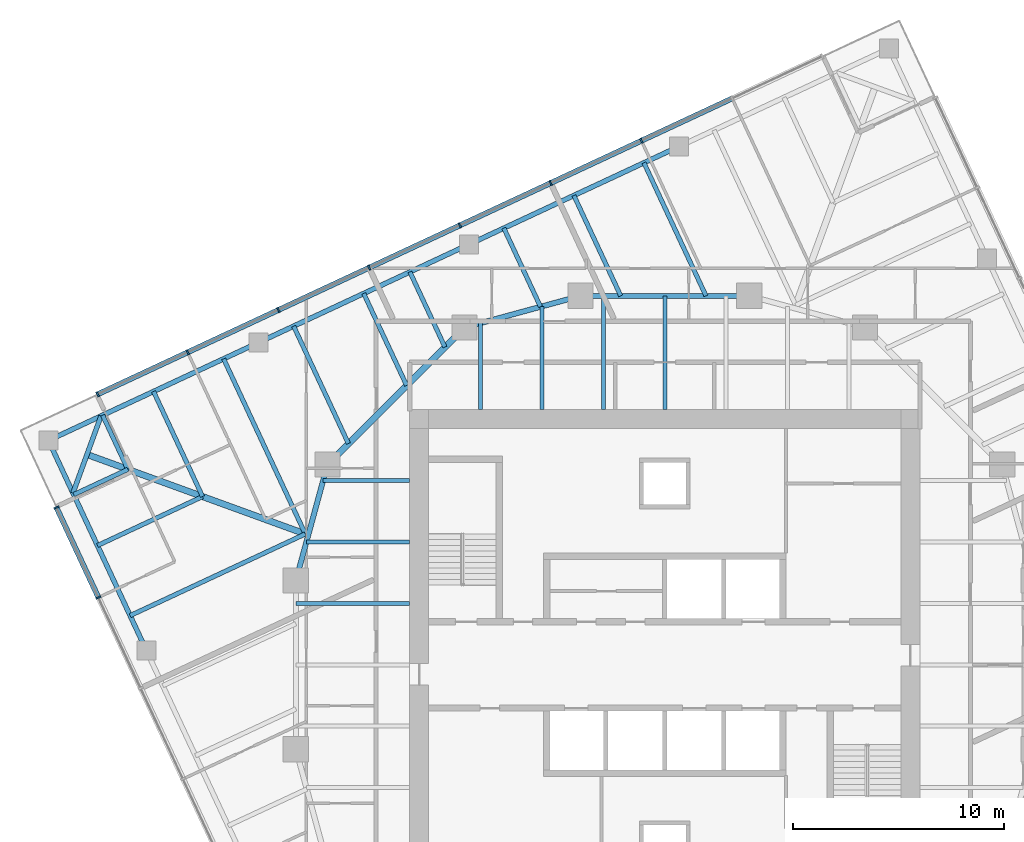
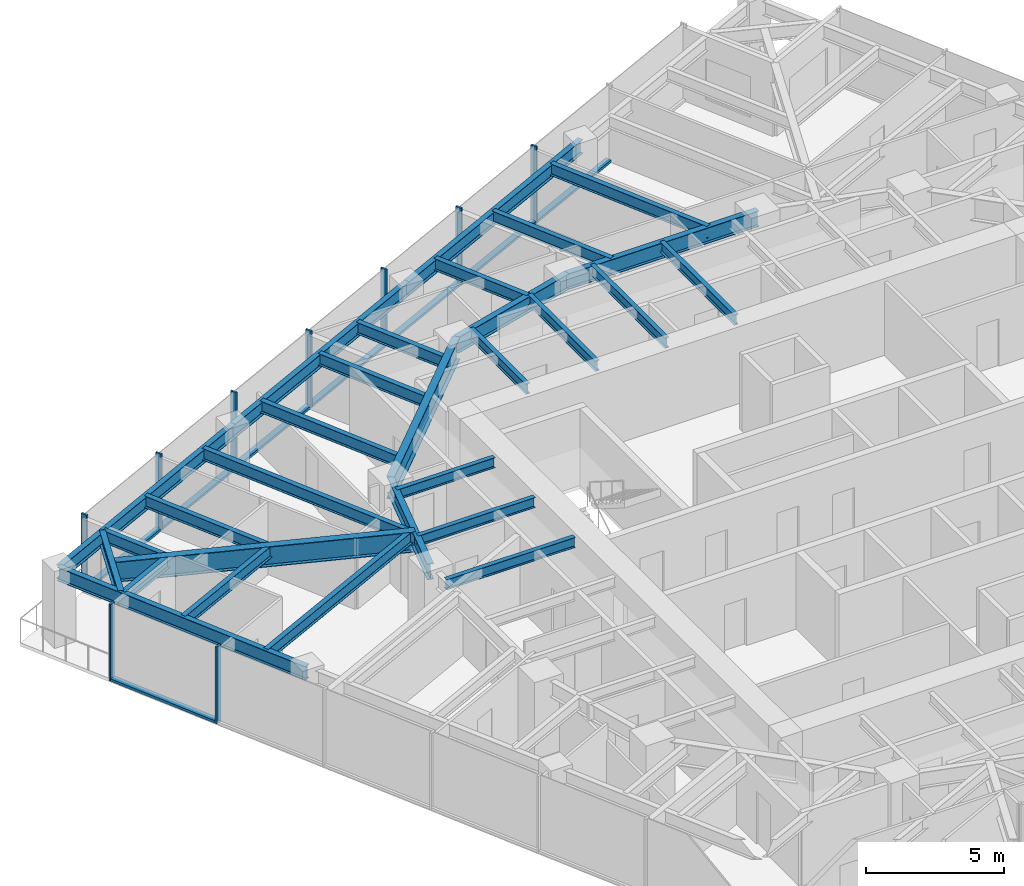
# One storey, part 4 of 13: 29 beams, 17 members, 2 elements without a shape of their own.
"""IFC4 building model written with IfcOpenShell, lengths in metres."""

from ifc_helpers import new_model, si_unit, direction, frame, origin, origin_2d, place, context, subcontext, project, spatial, rectangle, i_section, extrude, material, material_profile, profile_set, type_object, element, aggregate, save


model = new_model("IFC4")

# Units and contexts
model_context = context("Model", 3, precision=1e-05, world=origin(), true_north=direction((0.0, 1.0)))
body_context = subcontext(model_context, "Body", "Model", "MODEL_VIEW")
ifc_project = project(units=[si_unit("LENGTHUNIT", "METRE"), si_unit("AREAUNIT", "SQUARE_METRE"), si_unit("VOLUMEUNIT", "CUBIC_METRE"), si_unit("PLANEANGLEUNIT", "RADIAN"), si_unit("MASSUNIT", "GRAM", prefix="KILO")], contexts=[model_context])

# Site, building, storey
site_placement = place(None, origin())
site = spatial("IfcSite", under=ifc_project, at=site_placement, CompositionType="ELEMENT")
building_placement = place(site_placement, origin())
building = spatial("IfcBuilding", under=site, at=building_placement, Name="Torsade Residences", CompositionType="ELEMENT")
storey_placement = place(building_placement, frame((0.0, 0.0, 182.800048828125)))
storey = spatial("IfcBuildingStorey", under=building, at=storey_placement, Name="L50", CompositionType="ELEMENT", Elevation=182.800048828125)

# Beams
ifc_material_1 = material(Name="Steel grade 300", Category="steel")
ifc_material_profile_1 = material_profile(ifc_material_1, i_section(OverallWidth=0.300048828125, OverallDepth=0.89990234375, WebThickness=0.011962890625, FlangeThickness=0.02490234375, at=origin_2d()), Name="900WB175")
ifc_profile_set_1 = profile_set([ifc_material_profile_1], Name="Steel grade 300")
beam_type_1 = type_object("IfcBeamType", Name="CORNER GIRDER 900WB175", PredefinedType="BEAM", material=ifc_profile_set_1)
beam_1_placement = place(storey_placement, frame((12.5908203125, 39.97607421875, 2.800048828125), z_axis=(0.93969447651, -0.342015044723, 0.0), x_axis=(0.342015044723, 0.93969447651, 0.0)))
element("IfcBeam", 1, at=beam_1_placement, inside=storey, type_object=beam_type_1, Name="Corner girder 13 L51", PredefinedType="BEAM", context=body_context, shape_type="SweptSolid", body=[
    extrude(i_section(OverallWidth=0.300048828125, OverallDepth=0.89990234375, WebThickness=0.011962890625, FlangeThickness=0.02490234375, at=origin_2d()), origin(), (0.0, 0.0, 1.0), 11.170654296875),
])
ifc_material_2 = material(Name="Steel grade 300", Category="steel")
ifc_material_profile_2 = material_profile(ifc_material_2, i_section(OverallWidth=0.22802734375, OverallDepth=0.60205078125, WebThickness=0.010498046875, FlangeThickness=0.014892578125, FilletRadius=0.013916015625, at=origin_2d()), Name="610UB101")
ifc_profile_set_2 = profile_set([ifc_material_profile_2], Name="Steel grade 300")
beam_type_2 = type_object("IfcBeamType", Name="CORNER TRIMMER 610UB101", PredefinedType="BEAM", material=ifc_profile_set_2)
beam_2_placement = place(storey_placement, frame((11.92578125, 38.14892578125, 2.948974609375), z_axis=(0.342005152204, 0.939698076972, 0.0), x_axis=(-0.939698076972, 0.342005152204, 0.0)))
element("IfcBeam", 2, at=beam_2_placement, inside=storey, type_object=beam_type_2, Name="Corner trimmer 13 L51", PredefinedType="BEAM", context=body_context, shape_type="SweptSolid", body=[
    extrude(i_section(OverallWidth=0.22802734375, OverallDepth=0.60205078125, WebThickness=0.010498046875, FlangeThickness=0.014892578125, FilletRadius=0.013916015625, at=origin_2d()), origin(), (0.0, 0.0, 1.0), 3.88916015625),
])
ifc_material_3 = material(Name="Steel grade 300", Category="steel")
ifc_material_profile_3 = material_profile(ifc_material_3, i_section(OverallWidth=0.22900390625, OverallDepth=0.612060546875, WebThickness=0.011962890625, FlangeThickness=0.01953125, FilletRadius=0.013916015625, at=origin_2d()), Name="610UB125")
ifc_profile_set_3 = profile_set([ifc_material_profile_3], Name="Steel grade 300")
beam_type_3 = type_object("IfcBeamType", Name="EDGE BEAM 610UB125", PredefinedType="SPANDREL", material=ifc_profile_set_3)
beam_3_placement = place(storey_placement, frame((40.671875, 54.587646484375, 2.94384765625), z_axis=(-0.906305009094, -0.422624219007, 0.0), x_axis=(0.422624219007, -0.906305009094, 0.0)))
element("IfcBeam", 3, at=beam_3_placement, inside=storey, type_object=beam_type_3, Name="Edge beam 10 L51", PredefinedType="SPANDREL", context=body_context, shape_type="SweptSolid", body=[
    extrude(i_section(OverallWidth=0.22900390625, OverallDepth=0.612060546875, WebThickness=0.011962890625, FlangeThickness=0.01953125, FilletRadius=0.013916015625, at=origin_2d()), origin(), (0.0, 0.0, 1.0), 11.000244140625),
])
for number, where, z_axis, x_axis, name in (
    (4, (30.702392578125, 49.938720703125, 2.94384765625), (-0.906313510001, -0.422605988587, 0.0), (0.422605988587, -0.906313510001, 0.0), "Edge beam 11 L51"),
    (5, (20.73291015625, 45.2900390625, 2.94384765625), (-0.90630104482, -0.422632720171, 0.0), (0.422632720171, -0.90630104482, 0.0), "Edge beam 12 L51"),
):
    element("IfcBeam", number, at=place(storey_placement, frame(where, z_axis=z_axis, x_axis=x_axis)), inside=storey, type_object=beam_type_3, Name=name, PredefinedType="SPANDREL", context=body_context, shape_type="SweptSolid", body=[
        extrude(i_section(OverallWidth=0.22900390625, OverallDepth=0.612060546875, WebThickness=0.011962890625, FlangeThickness=0.01953125, FilletRadius=0.013916015625, at=origin_2d()), origin(), (0.0, 0.0, 1.0), 11.0),
    ])
beam_4_placement = place(storey_placement, frame((10.763671875, 40.64111328125, 2.94384765625), z_axis=(0.422614489543, -0.906309546032, 0.0), x_axis=(0.906309546032, 0.422614489543, 0.0)))
element("IfcBeam", 6, at=beam_4_placement, inside=storey, type_object=beam_type_3, Name="Edge beam 13 L51", PredefinedType="SPANDREL", context=body_context, shape_type="SweptSolid", body=[
    extrude(i_section(OverallWidth=0.22900390625, OverallDepth=0.612060546875, WebThickness=0.011962890625, FlangeThickness=0.01953125, FilletRadius=0.013916015625, at=origin_2d()), origin(), (0.0, 0.0, 1.0), 10.999755859375),
])
ifc_material_4 = material(Name="Steel grade 300", Category="steel")
ifc_material_profile_4 = material_profile(ifc_material_4, i_section(OverallWidth=0.18994140625, OverallDepth=0.4541015625, WebThickness=0.008544921875, FlangeThickness=0.0126953125, FilletRadius=0.011474609375, at=origin_2d()), Name="460UB67.1")
ifc_profile_set_4 = profile_set([ifc_material_profile_4], Name="Steel grade 300")
beam_type_4 = type_object("IfcBeamType", Name="INNER FLOOR BEAM 460UB67.1", PredefinedType="JOIST", material=ifc_profile_set_4)
beam_5_placement = place(storey_placement, frame((31.262451171875, 42.10009765625, 3.02294921875), z_axis=(0.0, 1.0, 0.0), x_axis=(-1.0, 0.0, 0.0)))
element("IfcBeam", 7, at=beam_5_placement, inside=storey, type_object=beam_type_4, Name="Inner floor beam IN01 L51", PredefinedType="JOIST", context=body_context, shape_type="SweptSolid", body=[
    extrude(i_section(OverallWidth=0.18994140625, OverallDepth=0.4541015625, WebThickness=0.008544921875, FlangeThickness=0.0126953125, FilletRadius=0.011474609375, at=origin_2d()), origin(), (0.0, 0.0, 1.0), 4.10791015625),
])
beam_6_placement = place(storey_placement, frame((34.175048828125, 42.10009765625, 3.02294921875), z_axis=(0.0, 1.0, 0.0), x_axis=(-1.0, 0.0, 0.0)))
element("IfcBeam", 8, at=beam_6_placement, inside=storey, type_object=beam_type_4, Name="Inner floor beam IN02 L51", PredefinedType="JOIST", context=body_context, shape_type="SweptSolid", body=[
    extrude(i_section(OverallWidth=0.18994140625, OverallDepth=0.4541015625, WebThickness=0.008544921875, FlangeThickness=0.0126953125, FilletRadius=0.011474609375, at=origin_2d()), origin(), (0.0, 0.0, 1.0), 4.902099609375),
])
for number, where, z_axis, x_axis, name in (
    (9, (37.08740234375, 42.10009765625, 3.02294921875), (0.0, 1.0, 0.0), (-1.0, 0.0, 0.0), "Inner floor beam IN03 L51"),
    (10, (40.0, 42.10009765625, 3.02294921875), (0.0, 1.0, 0.0), (-1.0, 0.0, 0.0), "Inner floor beam IN04 L51"),
):
    element("IfcBeam", number, at=place(storey_placement, frame(where, z_axis=z_axis, x_axis=x_axis)), inside=storey, type_object=beam_type_4, Name=name, PredefinedType="JOIST", context=body_context, shape_type="SweptSolid", body=[
        extrude(i_section(OverallWidth=0.18994140625, OverallDepth=0.4541015625, WebThickness=0.008544921875, FlangeThickness=0.0126953125, FilletRadius=0.011474609375, at=origin_2d()), origin(), (0.0, 0.0, 1.0), 5.39990234375),
    ])
beam_7_placement = place(storey_placement, frame((27.89990234375, 38.737548828125, 3.02294921875), z_axis=(-1.0, 0.0, 0.0), x_axis=(0.0, -1.0, 0.0)))
element("IfcBeam", 11, at=beam_7_placement, inside=storey, type_object=beam_type_4, Name="Inner floor beam IW01 L51", PredefinedType="JOIST", context=body_context, shape_type="SweptSolid", body=[
    extrude(i_section(OverallWidth=0.18994140625, OverallDepth=0.4541015625, WebThickness=0.008544921875, FlangeThickness=0.0126953125, FilletRadius=0.011474609375, at=origin_2d()), origin(), (0.0, 0.0, 1.0), 4.10791015625),
])
beam_8_placement = place(storey_placement, frame((27.89990234375, 35.824951171875, 3.02294921875), z_axis=(-1.0, 0.0, 0.0), x_axis=(0.0, -1.0, 0.0)))
element("IfcBeam", 12, at=beam_8_placement, inside=storey, type_object=beam_type_4, Name="Inner floor beam IW02 L51", PredefinedType="JOIST", context=body_context, shape_type="SweptSolid", body=[
    extrude(i_section(OverallWidth=0.18994140625, OverallDepth=0.4541015625, WebThickness=0.008544921875, FlangeThickness=0.0126953125, FilletRadius=0.011474609375, at=origin_2d()), origin(), (0.0, 0.0, 1.0), 4.902099609375),
])
beam_9_placement = place(storey_placement, frame((27.89990234375, 32.91259765625, 3.02294921875), z_axis=(-1.0, 0.0, 0.0), x_axis=(0.0, -1.0, 0.0)))
element("IfcBeam", 13, at=beam_9_placement, inside=storey, type_object=beam_type_4, Name="Inner floor beam IW03 L51", PredefinedType="JOIST", context=body_context, shape_type="SweptSolid", body=[
    extrude(i_section(OverallWidth=0.18994140625, OverallDepth=0.4541015625, WebThickness=0.008544921875, FlangeThickness=0.0126953125, FilletRadius=0.011474609375, at=origin_2d()), origin(), (0.0, 0.0, 1.0), 5.39990234375),
])

# Curtain wall, members
ifc_material_5 = material(Name="Aluminium and glass", Category="aluminium")
curtain_wall_type = type_object("IfcCurtainWallType", Name="FRITTED GLASS CURTAIN WALL MID ZONE", PredefinedType="NOTDEFINED", material=ifc_material_5)
curtain_wall_1_placement = place(storey_placement, origin())
curtain_wall_1 = element("IfcCurtainWall", 14, at=curtain_wall_1_placement, inside=storey, type_object=curtain_wall_type, Name="Curtain wall L50 face 7", PredefinedType="NOTDEFINED")
ifc_material_6 = material(Name="Aluminium mullion", Category="aluminium")
ifc_material_profile_5 = material_profile(ifc_material_6, rectangle(XDim=0.25, YDim=0.080078125, at=origin_2d()), Name="MID ZONE CURTAIN WALL MULLION 250x80")
ifc_profile_set_5 = profile_set([ifc_material_profile_5], Name="Aluminium mullion")
member_type_1 = type_object("IfcMemberType", Name="MID ZONE CURTAIN WALL MULLION 250x80", PredefinedType="MULLION", material=ifc_profile_set_5)
member_1_placement = place(storey_placement, frame((38.8896484375, 54.85986328125, 0.0), z_axis=(0.0, 0.0, 1.0), x_axis=(0.422618261978, -0.906307786926, 0.0)))
member_1 = element("IfcMember", 15, at=member_1_placement, type_object=member_type_1, Name="Mullion 3", PredefinedType="MULLION", context=body_context, shape_type="SweptSolid", body=[
    extrude(rectangle(XDim=0.25, YDim=0.080078125, at=origin_2d()), origin(), (0.0, 0.0, 1.0), 3.39990234375),
])
member_2_placement = place(storey_placement, frame((34.584716796875, 52.8525390625, 0.0), z_axis=(0.0, 0.0, 1.0), x_axis=(0.422618261978, -0.906307786926, 0.0)))
member_2 = element("IfcMember", 16, at=member_2_placement, type_object=member_type_1, Name="Mullion 4", PredefinedType="MULLION", context=body_context, shape_type="SweptSolid", body=[
    extrude(rectangle(XDim=0.25, YDim=0.080078125, at=origin_2d()), origin(), (0.0, 0.0, 1.0), 3.39990234375),
])
member_3_placement = place(storey_placement, frame((30.27978515625, 50.844970703125, 0.0), z_axis=(0.0, 0.0, 1.0), x_axis=(0.422618261978, -0.906307786926, 0.0)))
member_3 = element("IfcMember", 17, at=member_3_placement, type_object=member_type_1, Name="Mullion 5", PredefinedType="MULLION", context=body_context, shape_type="SweptSolid", body=[
    extrude(rectangle(XDim=0.25, YDim=0.080078125, at=origin_2d()), origin(), (0.0, 0.0, 1.0), 3.39990234375),
])
member_4_placement = place(storey_placement, frame((25.974853515625, 48.837646484375, 0.0), z_axis=(0.0, 0.0, 1.0), x_axis=(0.422618261978, -0.906307786926, 0.0)))
member_4 = element("IfcMember", 18, at=member_4_placement, type_object=member_type_1, Name="Mullion 6", PredefinedType="MULLION", context=body_context, shape_type="SweptSolid", body=[
    extrude(rectangle(XDim=0.25, YDim=0.080078125, at=origin_2d()), origin(), (0.0, 0.0, 1.0), 3.39990234375),
])
member_5_placement = place(storey_placement, frame((21.669921875, 46.830322265625, 0.0), z_axis=(0.0, 0.0, 1.0), x_axis=(0.422618261978, -0.906307786926, 0.0)))
member_5 = element("IfcMember", 19, at=member_5_placement, type_object=member_type_1, Name="Mullion 7", PredefinedType="MULLION", context=body_context, shape_type="SweptSolid", body=[
    extrude(rectangle(XDim=0.25, YDim=0.080078125, at=origin_2d()), origin(), (0.0, 0.0, 1.0), 3.39990234375),
])
member_6_placement = place(storey_placement, frame((17.364990234375, 44.82275390625, 0.0), z_axis=(0.0, 0.0, 1.0), x_axis=(0.422618261978, -0.906307786926, 0.0)))
member_6 = element("IfcMember", 20, at=member_6_placement, type_object=member_type_1, Name="Mullion 8", PredefinedType="MULLION", context=body_context, shape_type="SweptSolid", body=[
    extrude(rectangle(XDim=0.25, YDim=0.080078125, at=origin_2d()), origin(), (0.0, 0.0, 1.0), 3.39990234375),
])
member_7_placement = place(storey_placement, frame((13.09619140625, 42.832275390625, 0.0), z_axis=(0.0, 0.0, 1.0), x_axis=(0.422618261978, -0.906307786926, 0.0)))
member_7 = element("IfcMember", 21, at=member_7_placement, type_object=member_type_1, Name="Mullion 9", PredefinedType="MULLION", context=body_context, shape_type="SweptSolid", body=[
    extrude(rectangle(XDim=0.25, YDim=0.080078125, at=origin_2d()), origin(), (0.0, 0.0, 1.0), 3.39990234375),
])

curtain_wall_2_placement = place(storey_placement, origin())
curtain_wall_2 = element("IfcCurtainWall", 22, at=curtain_wall_2_placement, inside=storey, type_object=curtain_wall_type, Name="Curtain wall L50 face 10", PredefinedType="NOTDEFINED")
member_8_placement = place(storey_placement, frame((11.14208984375, 37.46337890625, 0.0), z_axis=(0.0, 0.0, 1.0), x_axis=(0.906307786926, 0.422618261978, 0.0)))
member_8 = element("IfcMember", 23, at=member_8_placement, type_object=member_type_1, Name="Mullion 1", PredefinedType="MULLION", context=body_context, shape_type="SweptSolid", body=[
    extrude(rectangle(XDim=0.25, YDim=0.080078125, at=origin_2d()), origin(), (0.0, 0.0, 1.0), 3.39990234375),
])
member_9_placement = place(storey_placement, frame((13.132568359375, 33.194580078125, 0.0), z_axis=(0.0, 0.0, 1.0), x_axis=(0.906307786926, 0.422618261978, 0.0)))
member_9 = element("IfcMember", 24, at=member_9_placement, type_object=member_type_1, Name="Mullion 2", PredefinedType="MULLION", context=body_context, shape_type="SweptSolid", body=[
    extrude(rectangle(XDim=0.25, YDim=0.080078125, at=origin_2d()), origin(), (0.0, 0.0, 1.0), 3.39990234375),
])

# Member
ifc_material_7 = material(Name="Aluminium transom", Category="aluminium")
ifc_material_profile_6 = material_profile(ifc_material_7, rectangle(XDim=0.25, YDim=0.110107421875, at=origin_2d()), Name="MID ZONE CURTAIN WALL TRANSOM 250x110")
ifc_profile_set_6 = profile_set([ifc_material_profile_6], Name="Aluminium transom")
member_type_2 = type_object("IfcMemberType", Name="MID ZONE CURTAIN WALL TRANSOM 250x110", PredefinedType="USERDEFINED", material=ifc_profile_set_6)
member_10_placement = place(storey_placement, frame((43.158447265625, 56.8505859375, 0.054931640625), z_axis=(-0.906305976097, -0.422622145291, 0.0), x_axis=(0.422622145291, -0.906305976097, 0.0)))
member_10 = element("IfcMember", 25, at=member_10_placement, type_object=member_type_2, Name="Transom 2.1", ObjectType="TRANSOM", PredefinedType="USERDEFINED", context=body_context, shape_type="SweptSolid", body=[
    extrude(rectangle(XDim=0.25, YDim=0.110107421875, at=origin_2d()), origin(), (0.0, 0.0, 1.0), 4.669921875),
])

member_11_placement = place(storey_placement, frame((38.853515625, 54.843017578125, 0.054931640625), z_axis=(-0.906305976097, -0.422622145291, 0.0), x_axis=(0.422622145291, -0.906305976097, 0.0)))
member_11 = element("IfcMember", 26, at=member_11_placement, type_object=member_type_2, Name="Transom 3.1", ObjectType="TRANSOM", PredefinedType="USERDEFINED", context=body_context, shape_type="SweptSolid", body=[
    extrude(rectangle(XDim=0.25, YDim=0.110107421875, at=origin_2d()), origin(), (0.0, 0.0, 1.0), 4.669921875),
])

member_12_placement = place(storey_placement, frame((34.548583984375, 52.835693359375, 0.054931640625), z_axis=(-0.90631531293, -0.422602122035, 0.0), x_axis=(0.422602122035, -0.90631531293, 0.0)))
member_12 = element("IfcMember", 27, at=member_12_placement, type_object=member_type_2, Name="Transom 4.1", ObjectType="TRANSOM", PredefinedType="USERDEFINED", context=body_context, shape_type="SweptSolid", body=[
    extrude(rectangle(XDim=0.25, YDim=0.110107421875, at=origin_2d()), origin(), (0.0, 0.0, 1.0), 4.670166015625),
])

member_13_placement = place(storey_placement, frame((30.243408203125, 50.828125, 0.054931640625), z_axis=(-0.906305976097, -0.422622145291, 0.0), x_axis=(0.422622145291, -0.906305976097, 0.0)))
member_13 = element("IfcMember", 28, at=member_13_placement, type_object=member_type_2, Name="Transom 5.1", ObjectType="TRANSOM", PredefinedType="USERDEFINED", context=body_context, shape_type="SweptSolid", body=[
    extrude(rectangle(XDim=0.25, YDim=0.110107421875, at=origin_2d()), origin(), (0.0, 0.0, 1.0), 4.669921875),
])

member_14_placement = place(storey_placement, frame((25.9384765625, 48.82080078125, 0.054931640625), z_axis=(-0.906305976097, -0.422622145291, 0.0), x_axis=(0.422622145291, -0.906305976097, 0.0)))
member_14 = element("IfcMember", 29, at=member_14_placement, type_object=member_type_2, Name="Transom 6.1", ObjectType="TRANSOM", PredefinedType="USERDEFINED", context=body_context, shape_type="SweptSolid", body=[
    extrude(rectangle(XDim=0.25, YDim=0.110107421875, at=origin_2d()), origin(), (0.0, 0.0, 1.0), 4.669921875),
])

member_15_placement = place(storey_placement, frame((21.633544921875, 46.813232421875, 0.054931640625), z_axis=(-0.906305976097, -0.422622145291, 0.0), x_axis=(0.422622145291, -0.906305976097, 0.0)))
member_15 = element("IfcMember", 30, at=member_15_placement, type_object=member_type_2, Name="Transom 7.1", ObjectType="TRANSOM", PredefinedType="USERDEFINED", context=body_context, shape_type="SweptSolid", body=[
    extrude(rectangle(XDim=0.25, YDim=0.110107421875, at=origin_2d()), origin(), (0.0, 0.0, 1.0), 4.669921875),
])

member_16_placement = place(storey_placement, frame((17.32861328125, 44.805908203125, 0.054931640625), z_axis=(-0.906305687176, -0.422622764878, 0.0), x_axis=(0.422622764878, -0.906305687176, 0.0)))
member_16 = element("IfcMember", 31, at=member_16_placement, type_object=member_type_2, Name="Transom 8.1", ObjectType="TRANSOM", PredefinedType="USERDEFINED", context=body_context, shape_type="SweptSolid", body=[
    extrude(rectangle(XDim=0.25, YDim=0.110107421875, at=origin_2d()), origin(), (0.0, 0.0, 1.0), 4.630126953125),
])

aggregate(curtain_wall_1, [member_1, member_2, member_3, member_4, member_5, member_6, member_7, member_10, member_11, member_12, member_13, member_14, member_15, member_16])

member_17_placement = place(storey_placement, frame((11.158935546875, 37.427001953125, 0.054931640625), z_axis=(0.422642962277, -0.906296268578, 0.0), x_axis=(0.906296268578, 0.422642962277, 0.0)))
member_17 = element("IfcMember", 32, at=member_17_placement, type_object=member_type_2, Name="Transom 1.1", ObjectType="TRANSOM", PredefinedType="USERDEFINED", context=body_context, shape_type="SweptSolid", body=[
    extrude(rectangle(XDim=0.25, YDim=0.110107421875, at=origin_2d()), origin(), (0.0, 0.0, 1.0), 4.6298828125),
])

aggregate(curtain_wall_2, [member_8, member_9, member_17])

# Beams
ifc_material_8 = material(Name="Steel grade 300", Category="steel")
ifc_material_profile_7 = material_profile(ifc_material_8, i_section(OverallWidth=0.300048828125, OverallDepth=1.0, WebThickness=0.01611328125, FlangeThickness=0.028076171875, at=origin_2d()), Name="1000WB215")
ifc_profile_set_7 = profile_set([ifc_material_profile_7], Name="Steel grade 300")
beam_type_5 = type_object("IfcBeamType", Name="RING CORNER GIRDER 1000WB215", PredefinedType="BEAM", material=ifc_profile_set_7)
beam_10_placement = place(storey_placement, frame((30.5, 46.0, 2.75), z_axis=(-0.707106781187, -0.707106781187, 0.0), x_axis=(0.707106781187, -0.707106781187, 0.0)))
element("IfcBeam", 33, at=beam_10_placement, inside=storey, type_object=beam_type_5, Name="Ring girder IR07 L51", PredefinedType="BEAM", context=body_context, shape_type="SweptSolid", body=[
    extrude(i_section(OverallWidth=0.300048828125, OverallDepth=1.0, WebThickness=0.01611328125, FlangeThickness=0.028076171875, at=origin_2d()), origin(), (0.0, 0.0, 1.0), 9.1923828125),
])
ifc_material_9 = material(Name="Steel grade 300", Category="steel")
ifc_material_profile_8 = material_profile(ifc_material_9, i_section(OverallWidth=0.25, OverallDepth=0.699951171875, WebThickness=0.010009765625, FlangeThickness=0.02001953125, at=origin_2d()), Name="700WB130")
ifc_profile_set_8 = profile_set([ifc_material_profile_8], Name="Steel grade 300")
beam_type_6 = type_object("IfcBeamType", Name="RING GIRDER 700WB130", PredefinedType="BEAM", material=ifc_profile_set_8)
beam_11_placement = place(storey_placement, frame((44.0, 47.5, 2.89990234375), z_axis=(-1.0, 0.0, 0.0), x_axis=(0.0, -1.0, 0.0)))
element("IfcBeam", 34, at=beam_11_placement, inside=storey, type_object=beam_type_6, Name="Ring girder IR05 L51", PredefinedType="BEAM", context=body_context, shape_type="SweptSolid", body=[
    extrude(i_section(OverallWidth=0.25, OverallDepth=0.699951171875, WebThickness=0.010009765625, FlangeThickness=0.02001953125, at=origin_2d()), origin(), (0.0, 0.0, 1.0), 8.0),
])
for number, where, z_axis, x_axis, name in (
    (35, (36.0, 47.5, 2.89990234375), (-0.964763821238, -0.263117405792, 0.0), (0.263117405792, -0.964763821238, 0.0), "Ring girder IR06 L51"),
    (36, (24.0, 39.5, 2.89990234375), (-0.263117405792, -0.964763821238, 0.0), (0.964763821238, -0.263117405792, 0.0), "Ring girder IR08 L51"),
):
    element("IfcBeam", number, at=place(storey_placement, frame(where, z_axis=z_axis, x_axis=x_axis)), inside=storey, type_object=beam_type_6, Name=name, PredefinedType="BEAM", context=body_context, shape_type="SweptSolid", body=[
        extrude(i_section(OverallWidth=0.25, OverallDepth=0.699951171875, WebThickness=0.010009765625, FlangeThickness=0.02001953125, at=origin_2d()), origin(), (0.0, 0.0, 1.0), 5.700927734375),
    ])
ifc_material_10 = material(Name="Steel grade 300", Category="steel")
ifc_material_profile_9 = material_profile(ifc_material_10, i_section(OverallWidth=0.208984375, OverallDepth=0.528076171875, WebThickness=0.009521484375, FlangeThickness=0.01318359375, FilletRadius=0.013916015625, at=origin_2d()), Name="530UB82.0")
ifc_profile_set_9 = profile_set([ifc_material_profile_9], Name="Steel grade 300")
beam_type_7 = type_object("IfcBeamType", Name="SECONDARY BEAM 530UB82.0", PredefinedType="JOIST", material=ifc_profile_set_9)
beam_12_placement = place(storey_placement, frame((39.01025390625, 53.812744140625, 2.98583984375), z_axis=(0.422609131726, -0.906312044376, 0.0), x_axis=(0.906312044376, 0.422609131726, 0.0)))
element("IfcBeam", 37, at=beam_12_placement, inside=storey, type_object=beam_type_7, Name="Floor beam FN04 L51", PredefinedType="JOIST", context=body_context, shape_type="SweptSolid", body=[
    extrude(i_section(OverallWidth=0.208984375, OverallDepth=0.528076171875, WebThickness=0.009521484375, FlangeThickness=0.01318359375, FilletRadius=0.013916015625, at=origin_2d()), origin(), (0.0, 0.0, 1.0), 6.96533203125),
])
beam_13_placement = place(storey_placement, frame((35.68701171875, 52.26318359375, 2.98583984375), z_axis=(0.422631142882, -0.90630178035, 0.0), x_axis=(0.90630178035, 0.422631142882, 0.0)))
element("IfcBeam", 38, at=beam_13_placement, inside=storey, type_object=beam_type_7, Name="Floor beam FN05 L51", PredefinedType="JOIST", context=body_context, shape_type="SweptSolid", body=[
    extrude(i_section(OverallWidth=0.208984375, OverallDepth=0.528076171875, WebThickness=0.009521484375, FlangeThickness=0.01318359375, FilletRadius=0.013916015625, at=origin_2d()), origin(), (0.0, 0.0, 1.0), 5.255615234375),
])
beam_14_placement = place(storey_placement, frame((32.364013671875, 50.713623046875, 2.98583984375), z_axis=(0.422635442612, -0.906299775267, 0.0), x_axis=(0.906299775267, 0.422635442612, 0.0)))
element("IfcBeam", 39, at=beam_14_placement, inside=storey, type_object=beam_type_7, Name="Floor beam FN06 L51", PredefinedType="JOIST", context=body_context, shape_type="SweptSolid", body=[
    extrude(i_section(OverallWidth=0.208984375, OverallDepth=0.528076171875, WebThickness=0.009521484375, FlangeThickness=0.01318359375, FilletRadius=0.013916015625, at=origin_2d()), origin(), (0.0, 0.0, 1.0), 4.116455078125),
])
beam_15_placement = place(storey_placement, frame((27.907958984375, 48.6357421875, 2.98583984375), z_axis=(0.422644222818, -0.906295680735, 0.0), x_axis=(0.906295680735, 0.422644222818, 0.0)))
element("IfcBeam", 40, at=beam_15_placement, inside=storey, type_object=beam_type_7, Name="Floor beam FN07 L51", PredefinedType="JOIST", context=body_context, shape_type="SweptSolid", body=[
    extrude(i_section(OverallWidth=0.208984375, OverallDepth=0.528076171875, WebThickness=0.009521484375, FlangeThickness=0.01318359375, FilletRadius=0.013916015625, at=origin_2d()), origin(), (0.0, 0.0, 1.0), 3.933837890625),
])
beam_16_placement = place(storey_placement, frame((25.7177734375, 47.6142578125, 2.98583984375), z_axis=(0.422618876857, -0.906307500203, 0.0), x_axis=(0.906307500203, 0.422618876857, 0.0)))
element("IfcBeam", 41, at=beam_16_placement, inside=storey, type_object=beam_type_7, Name="Floor beam FN08 L51", PredefinedType="JOIST", context=body_context, shape_type="SweptSolid", body=[
    extrude(i_section(OverallWidth=0.208984375, OverallDepth=0.528076171875, WebThickness=0.009521484375, FlangeThickness=0.01318359375, FilletRadius=0.013916015625, at=origin_2d()), origin(), (0.0, 0.0, 1.0), 4.813232421875),
])
beam_17_placement = place(storey_placement, frame((22.39453125, 46.064697265625, 2.98583984375), z_axis=(0.42264848683, -0.906293692233, 0.0), x_axis=(0.906293692233, 0.42264848683, 0.0)))
element("IfcBeam", 42, at=beam_17_placement, inside=storey, type_object=beam_type_7, Name="Floor beam FN09 L51", PredefinedType="JOIST", context=body_context, shape_type="SweptSolid", body=[
    extrude(i_section(OverallWidth=0.208984375, OverallDepth=0.528076171875, WebThickness=0.009521484375, FlangeThickness=0.01318359375, FilletRadius=0.013916015625, at=origin_2d()), origin(), (0.0, 0.0, 1.0), 6.14794921875),
])
beam_18_placement = place(storey_placement, frame((19.071533203125, 44.51513671875, 2.98583984375), z_axis=(0.422618627092, -0.90630761667, 0.0), x_axis=(0.90630761667, 0.422618627092, 0.0)))
element("IfcBeam", 43, at=beam_18_placement, inside=storey, type_object=beam_type_7, Name="Floor beam FN10 L51", PredefinedType="JOIST", context=body_context, shape_type="SweptSolid", body=[
    extrude(i_section(OverallWidth=0.208984375, OverallDepth=0.528076171875, WebThickness=0.009521484375, FlangeThickness=0.01318359375, FilletRadius=0.013916015625, at=origin_2d()), origin(), (0.0, 0.0, 1.0), 9.166748046875),
])
beam_19_placement = place(storey_placement, frame((15.748291015625, 42.965576171875, 2.98583984375), z_axis=(0.422632720171, -0.90630104482, 0.0), x_axis=(0.90630104482, 0.422632720171, 0.0)))
element("IfcBeam", 44, at=beam_19_placement, inside=storey, type_object=beam_type_7, Name="Floor beam FN11 L51", PredefinedType="JOIST", context=body_context, shape_type="SweptSolid", body=[
    extrude(i_section(OverallWidth=0.208984375, OverallDepth=0.528076171875, WebThickness=0.009521484375, FlangeThickness=0.01318359375, FilletRadius=0.013916015625, at=origin_2d()), origin(), (0.0, 0.0, 1.0), 5.5),
])
for number, where, z_axis, x_axis, name in (
    (45, (13.33154296875, 41.838623046875, 2.98583984375), (0.42257409885, -0.906328379221, 0.0), (0.906328379221, 0.42257409885, 0.0), "Floor beam FN12 L51"),
    (46, (11.9609375, 38.0732421875, 2.98583984375), (0.906295375613, 0.422644877104, 0.0), (-0.422644877104, 0.906295375613, 0.0), "Floor beam FW01 L51"),
):
    element("IfcBeam", number, at=place(storey_placement, frame(where, z_axis=z_axis, x_axis=x_axis)), inside=storey, type_object=beam_type_7, Name=name, PredefinedType="JOIST", context=body_context, shape_type="SweptSolid", body=[
        extrude(i_section(OverallWidth=0.208984375, OverallDepth=0.528076171875, WebThickness=0.009521484375, FlangeThickness=0.01318359375, FilletRadius=0.013916015625, at=origin_2d()), origin(), (0.0, 0.0, 1.0), 2.833251953125),
    ])
beam_20_placement = place(storey_placement, frame((13.088134765625, 35.656494140625, 2.98583984375), z_axis=(0.90630104482, 0.422632720171, 0.0), x_axis=(-0.422632720171, 0.90630104482, 0.0)))
element("IfcBeam", 47, at=beam_20_placement, inside=storey, type_object=beam_type_7, Name="Floor beam FW02 L51", PredefinedType="JOIST", context=body_context, shape_type="SweptSolid", body=[
    extrude(i_section(OverallWidth=0.208984375, OverallDepth=0.528076171875, WebThickness=0.009521484375, FlangeThickness=0.01318359375, FilletRadius=0.013916015625, at=origin_2d()), origin(), (0.0, 0.0, 1.0), 5.5),
])
beam_21_placement = place(storey_placement, frame((14.6376953125, 32.333251953125, 2.98583984375), z_axis=(0.90630761667, 0.422618627092, 0.0), x_axis=(-0.422618627092, 0.90630761667, 0.0)))
element("IfcBeam", 48, at=beam_21_placement, inside=storey, type_object=beam_type_7, Name="Floor beam FW03 L51", PredefinedType="JOIST", context=body_context, shape_type="SweptSolid", body=[
    extrude(i_section(OverallWidth=0.208984375, OverallDepth=0.528076171875, WebThickness=0.009521484375, FlangeThickness=0.01318359375, FilletRadius=0.013916015625, at=origin_2d()), origin(), (0.0, 0.0, 1.0), 9.166748046875),
])

save(model, "model.ifc")
